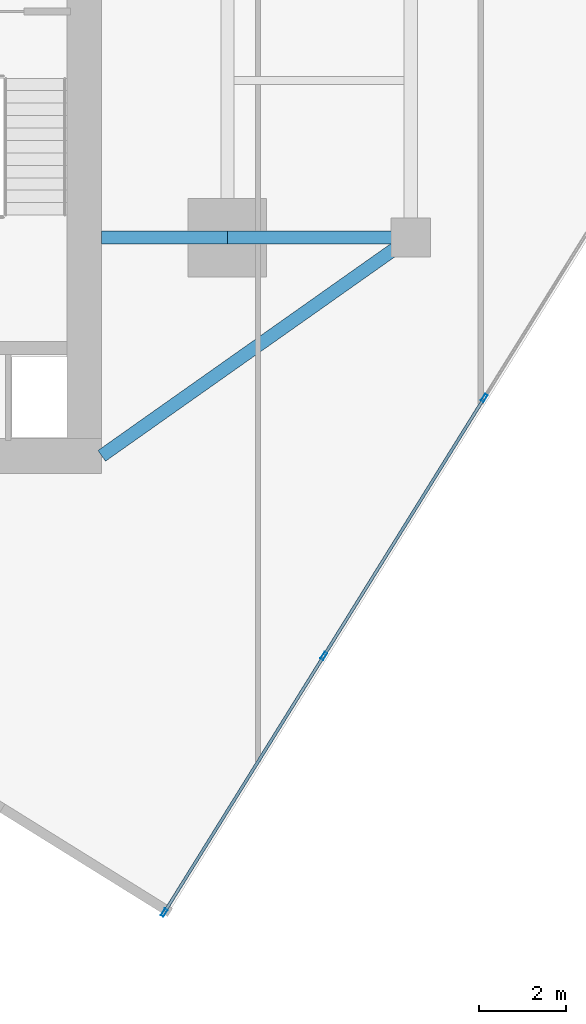
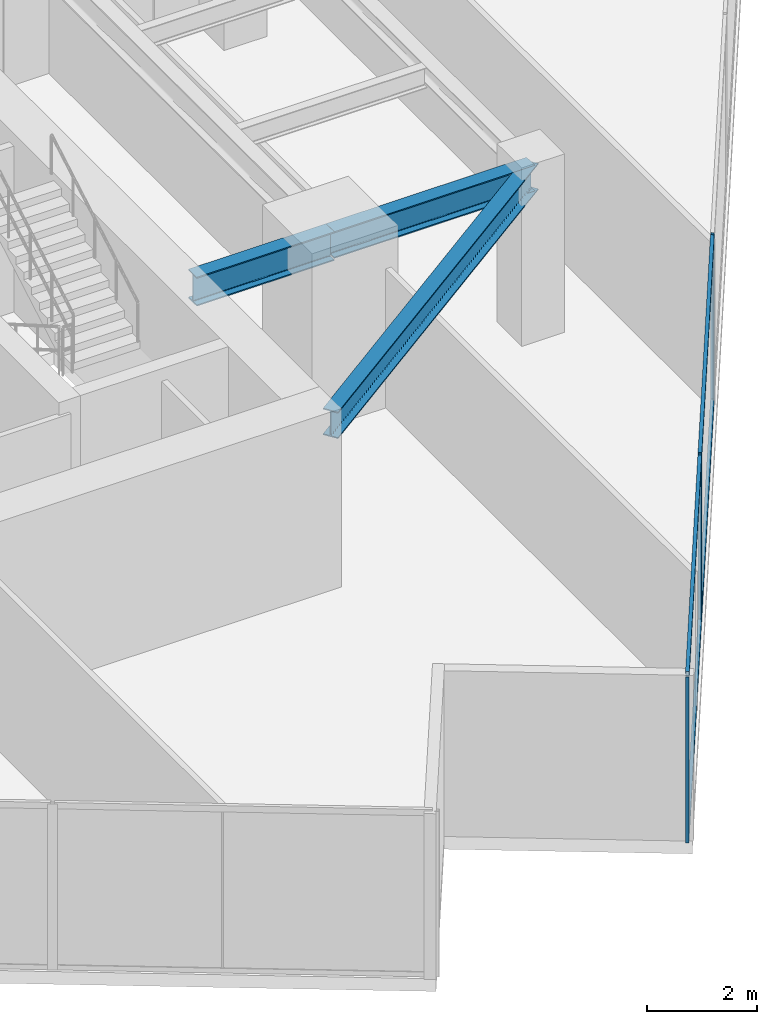
# One storey, part 9 of 25: 7 members, 3 beams, 1 element without a shape of its own.
"""IFC4 building model written with IfcOpenShell, lengths in metres."""

from ifc_helpers import new_model, si_unit, direction, frame, origin, origin_2d, place, context, subcontext, project, spatial, hollow_rectangle, i_section, extrude, source, transform, mapped, material, material_profile, profile_set, type_object, type_shapes, element, aggregate, save


model = new_model("IFC4")

# Units and contexts
model_context = context("Model", 3, precision=1e-05, world=origin(), true_north=direction((0.0, 1.0)))
body_context = subcontext(model_context, "Body", "Model", "MODEL_VIEW")
ifc_project = project(units=[si_unit("LENGTHUNIT", "METRE"), si_unit("AREAUNIT", "SQUARE_METRE"), si_unit("VOLUMEUNIT", "CUBIC_METRE"), si_unit("PLANEANGLEUNIT", "RADIAN"), si_unit("MASSUNIT", "GRAM", prefix="KILO")], contexts=[model_context])

# Site, building, storey
site_placement = place(None, origin())
site = spatial("IfcSite", under=ifc_project, at=site_placement, CompositionType="ELEMENT")
building_placement = place(site_placement, origin())
building = spatial("IfcBuilding", under=site, at=building_placement, Name="Krantzveldt Concourse Tower", CompositionType="ELEMENT")
storey_placement = place(building_placement, frame((0.0, 0.0, 177.800048828125)))
storey = spatial("IfcBuildingStorey", under=building, at=storey_placement, Name="L43", CompositionType="ELEMENT", Elevation=177.800048828125)

# Beams
ifc_material_1 = material(Name="Steel S355JR", Category="steel")
ifc_material_profile_1 = material_profile(ifc_material_1, i_section(OverallWidth=0.300048828125, OverallDepth=0.590087890625, WebThickness=0.012939453125, FlangeThickness=0.02490234375, FilletRadius=0.027099609375, at=origin_2d()), Name="Steel S355JR", Category="steel")
ifc_profile_set_1 = profile_set([ifc_material_profile_1], Name="Steel S355JR - HEA 600")
beam_type_1 = type_object("IfcBeamType", Name="BM-B-HEA600", PredefinedType="BEAM", material=ifc_profile_set_1)
shared_shape_1 = source(origin(), body_context, "Body", "SweptSolid", [
    extrude(i_section(OverallWidth=0.300048828125, OverallDepth=0.590087890625, WebThickness=0.012939453125, FlangeThickness=0.02490234375, FilletRadius=0.027099609375, at=origin_2d()), origin(), (0.0, 0.0, 1.0), 4.199951171875),
])
beam_1_placement = place(storey_placement, frame((46.800048828125, 15.89990234375, 3.375), z_axis=(1.0, 0.0, 0.0), x_axis=(0.0, 1.0, 0.0)))
element("IfcBeam", 1, at=beam_1_placement, inside=storey, type_object=beam_type_1, Name="L43 Tower Girder BR-RR1", PredefinedType="BEAM", context=body_context, shape_type="MappedRepresentation", body=[
    mapped(shared_shape_1, transform((0.0, 0.0, 0.0), x_axis=(1.0, 0.0, 0.0), y_axis=(0.0, 1.0, 0.0), z_axis=(0.0, 0.0, 1.0), scale=1.0)),
])
shared_shape_2 = source(origin(), body_context, "Body", "SweptSolid", [
    extrude(i_section(OverallWidth=0.300048828125, OverallDepth=0.590087890625, WebThickness=0.012939453125, FlangeThickness=0.02490234375, FilletRadius=0.027099609375, at=origin_2d()), origin(), (0.0, 0.0, 1.0), 8.667724609375),
])
type_shapes(beam_type_1, [shared_shape_1, shared_shape_2])
beam_2_placement = place(storey_placement, frame((51.0, 15.89990234375, 3.375), z_axis=(-0.81684294656, -0.576860122261, 0.0), x_axis=(0.576860122261, -0.81684294656, 0.0)))
element("IfcBeam", 2, at=beam_2_placement, inside=storey, type_object=beam_type_1, Name="L43 Tower Girder BR-CSE", PredefinedType="BEAM", context=body_context, shape_type="MappedRepresentation", body=[
    mapped(shared_shape_2, transform((0.0, 0.0, 0.0), x_axis=(1.0, 0.0, 0.0), y_axis=(0.0, 1.0, 0.0), z_axis=(0.0, 0.0, 1.0), scale=1.0)),
])
ifc_material_profile_2 = material_profile(ifc_material_1, i_section(OverallWidth=0.300048828125, OverallDepth=0.639892578125, WebThickness=0.013427734375, FlangeThickness=0.02587890625, FilletRadius=0.027099609375, at=origin_2d()), Name="Steel S355JR", Category="steel")
ifc_profile_set_2 = profile_set([ifc_material_profile_2], Name="Steel S355JR - HEA 650")
beam_type_2 = type_object("IfcBeamType", Name="BM-B-HEA650", PredefinedType="BEAM", material=ifc_profile_set_2)
shared_shape_3 = source(origin(), body_context, "Body", "SweptSolid", [
    extrude(i_section(OverallWidth=0.300048828125, OverallDepth=0.639892578125, WebThickness=0.013427734375, FlangeThickness=0.02587890625, FilletRadius=0.027099609375, at=origin_2d()), origin(), (0.0, 0.0, 1.0), 2.880126953125),
])
type_shapes(beam_type_2, [shared_shape_3])
beam_3_placement = place(storey_placement, frame((43.919921875, 15.89990234375, 3.349853515625), z_axis=(1.0, 0.0, 0.0), x_axis=(0.0, 1.0, 0.0)))
element("IfcBeam", 3, at=beam_3_placement, inside=storey, type_object=beam_type_2, Name="L43 Tower Girder BG-CE1", PredefinedType="BEAM", context=body_context, shape_type="MappedRepresentation", body=[
    mapped(shared_shape_3, transform((0.0, 0.0, 0.0), x_axis=(1.0, 0.0, 0.0), y_axis=(0.0, 1.0, 0.0), z_axis=(0.0, 0.0, 1.0), scale=1.0)),
])

# Curtain wall, members
ifc_material_2 = material(Name="Anodised aluminium 6063-T6", Category="aluminium")
curtain_wall_type = type_object("IfcCurtainWallType", Name="CW3", PredefinedType="USERDEFINED", material=ifc_material_2)
curtain_wall_placement = place(storey_placement, origin())
curtain_wall = element("IfcCurtainWall", 4, at=curtain_wall_placement, inside=storey, type_object=curtain_wall_type, Name="CW-L43-F07", ObjectType="UNITISED CURTAIN WALL", PredefinedType="USERDEFINED")
ifc_material_profile_3 = material_profile(ifc_material_2, hollow_rectangle(XDim=0.070068359375, YDim=0.179931640625, WallThickness=0.0048828125, at=origin_2d()), Name="Anodised aluminium 6063-T6", Category="aluminium")
ifc_profile_set_3 = profile_set([ifc_material_profile_3], Name="Anodised aluminium 6063-T6 - ALU-MULL 180x70x5")
member_type_1 = type_object("IfcMemberType", Name="CW-MUL-180", PredefinedType="MULLION", material=ifc_profile_set_3)
shared_shape_4 = source(origin(), body_context, "Body", "SweptSolid", [
    extrude(hollow_rectangle(XDim=0.070068359375, YDim=0.179931640625, WallThickness=0.0048828125, at=origin_2d()), origin(), (0.0, 0.0, 1.0), 3.669921875),
])
type_shapes(member_type_1, [shared_shape_4])
member_1_placement = place(storey_placement, frame((45.351318359375, 0.4365234375, 0.0), z_axis=(0.0, 0.0, 1.0), x_axis=(-0.84920214961, 0.528067901977, 0.0)))
member_1 = element("IfcMember", 5, at=member_1_placement, type_object=member_type_1, Name="CW-Z34 mullion 1", PredefinedType="MULLION", context=body_context, shape_type="MappedRepresentation", body=[
    mapped(shared_shape_4, transform((0.0, 0.0, 0.0), x_axis=(1.0, 0.0, 0.0), y_axis=(0.0, 1.0, 0.0), z_axis=(0.0, 0.0, 1.0), scale=1.0)),
])
member_2_placement = place(storey_placement, frame((49.008056640625, 6.317138671875, 0.0), z_axis=(0.0, 0.0, 1.0), x_axis=(-0.84920214961, 0.528067901977, 0.0)))
member_2 = element("IfcMember", 6, at=member_2_placement, type_object=member_type_1, Name="CW-Z34 mullion 2", PredefinedType="MULLION", context=body_context, shape_type="MappedRepresentation", body=[
    mapped(shared_shape_4, transform((0.0, 0.0, 0.0), x_axis=(1.0, 0.0, 0.0), y_axis=(0.0, 1.0, 0.0), z_axis=(0.0, 0.0, 1.0), scale=1.0)),
])
member_3_placement = place(storey_placement, frame((52.683349609375, 12.2275390625, 0.0), z_axis=(0.0, 0.0, 1.0), x_axis=(-0.84920214961, 0.528067901977, 0.0)))
member_3 = element("IfcMember", 7, at=member_3_placement, type_object=member_type_1, Name="CW-Z34 mullion 3", PredefinedType="MULLION", context=body_context, shape_type="MappedRepresentation", body=[
    mapped(shared_shape_4, transform((0.0, 0.0, 0.0), x_axis=(1.0, 0.0, 0.0), y_axis=(0.0, 1.0, 0.0), z_axis=(0.0, 0.0, 1.0), scale=1.0)),
])
ifc_material_profile_4 = material_profile(ifc_material_2, hollow_rectangle(XDim=0.070068359375, YDim=0.139892578125, WallThickness=0.0048828125, at=origin_2d()), Name="Anodised aluminium 6063-T6", Category="aluminium")
ifc_profile_set_4 = profile_set([ifc_material_profile_4], Name="Anodised aluminium 6063-T6 - ALU-TRAN 140x70x5")
member_type_2 = type_object("IfcMemberType", Name="CW-TRN-150", PredefinedType="USERDEFINED", material=ifc_profile_set_4)
shared_shape_5 = source(origin(), body_context, "Body", "SweptSolid", [
    extrude(hollow_rectangle(XDim=0.070068359375, YDim=0.139892578125, WallThickness=0.0048828125, at=origin_2d()), origin(), (0.0, 0.0, 1.0), 6.85498046875),
])
member_4_placement = place(storey_placement, frame((45.36962890625, 0.466064453125, 0.034912109375), z_axis=(0.52806394654, 0.849204609246, 0.0), x_axis=(-0.849204609246, 0.52806394654, 0.0)))
member_4 = element("IfcMember", 8, at=member_4_placement, type_object=member_type_2, Name="CW-Z34 transom 1.1", ObjectType="TRANSOM", PredefinedType="USERDEFINED", context=body_context, shape_type="MappedRepresentation", body=[
    mapped(shared_shape_5, transform((0.0, 0.0, 0.0), x_axis=(1.0, 0.0, 0.0), y_axis=(0.0, 1.0, 0.0), z_axis=(0.0, 0.0, 1.0), scale=1.0)),
])
member_5_placement = place(storey_placement, frame((45.36962890625, 0.466064453125, 3.635009765625), z_axis=(0.52806394654, 0.849204609246, 0.0), x_axis=(-0.849204609246, 0.52806394654, 0.0)))
member_5 = element("IfcMember", 9, at=member_5_placement, type_object=member_type_2, Name="CW-Z34 transom 1.2", ObjectType="TRANSOM", PredefinedType="USERDEFINED", context=body_context, shape_type="MappedRepresentation", body=[
    mapped(shared_shape_5, transform((0.0, 0.0, 0.0), x_axis=(1.0, 0.0, 0.0), y_axis=(0.0, 1.0, 0.0), z_axis=(0.0, 0.0, 1.0), scale=1.0)),
])
shared_shape_6 = source(origin(), body_context, "Body", "SweptSolid", [
    extrude(hollow_rectangle(XDim=0.070068359375, YDim=0.139892578125, WallThickness=0.0048828125, at=origin_2d()), origin(), (0.0, 0.0, 1.0), 6.89013671875),
])
type_shapes(member_type_2, [shared_shape_5, shared_shape_6])
member_6_placement = place(storey_placement, frame((49.026611328125, 6.346923828125, 0.034912109375), z_axis=(0.528067429464, 0.849202443437, 0.0), x_axis=(-0.849202443437, 0.528067429464, 0.0)))
member_6 = element("IfcMember", 10, at=member_6_placement, type_object=member_type_2, Name="CW-Z34 transom 2.1", ObjectType="TRANSOM", PredefinedType="USERDEFINED", context=body_context, shape_type="MappedRepresentation", body=[
    mapped(shared_shape_6, transform((0.0, 0.0, 0.0), x_axis=(1.0, 0.0, 0.0), y_axis=(0.0, 1.0, 0.0), z_axis=(0.0, 0.0, 1.0), scale=1.0)),
])
member_7_placement = place(storey_placement, frame((49.026611328125, 6.346923828125, 3.635009765625), z_axis=(0.528067429464, 0.849202443437, 0.0), x_axis=(-0.849202443437, 0.528067429464, 0.0)))
member_7 = element("IfcMember", 11, at=member_7_placement, type_object=member_type_2, Name="CW-Z34 transom 2.2", ObjectType="TRANSOM", PredefinedType="USERDEFINED", context=body_context, shape_type="MappedRepresentation", body=[
    mapped(shared_shape_6, transform((0.0, 0.0, 0.0), x_axis=(1.0, 0.0, 0.0), y_axis=(0.0, 1.0, 0.0), z_axis=(0.0, 0.0, 1.0), scale=1.0)),
])
aggregate(curtain_wall, [member_1, member_2, member_3, member_4, member_5, member_6, member_7])

save(model, "model.ifc")
